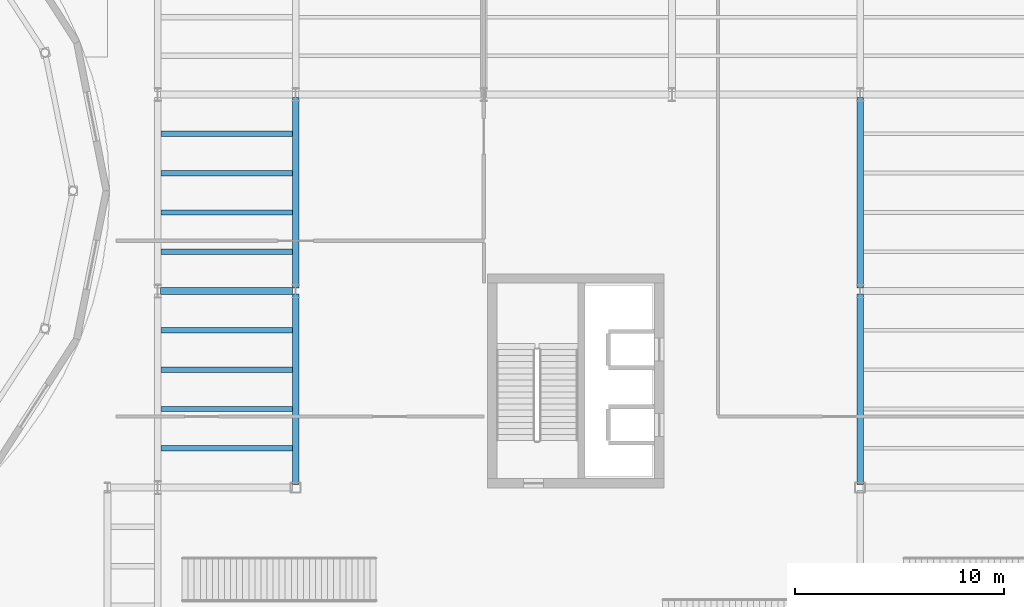
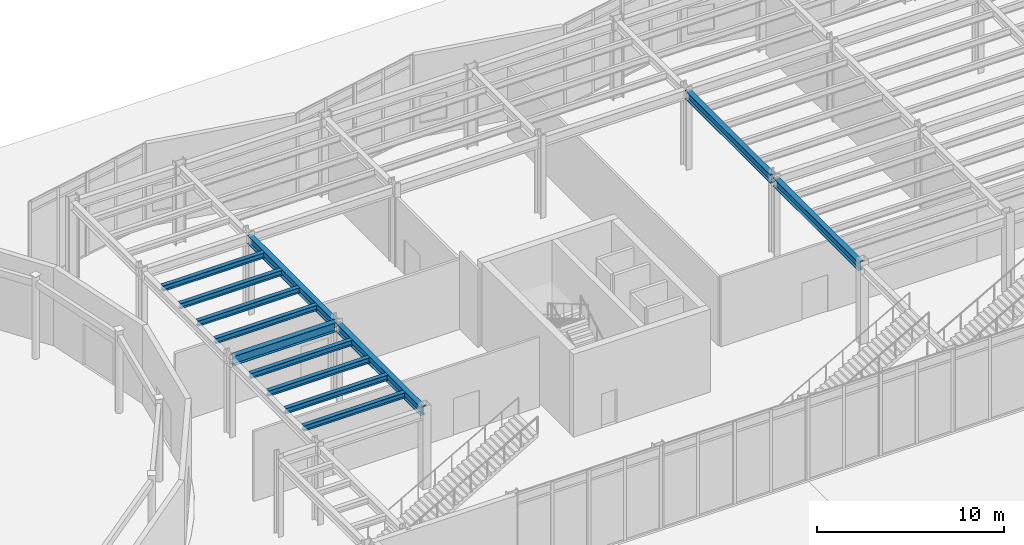
# One storey, part 51 of 94: 13 beams.
"""IFC4 building model written with IfcOpenShell, lengths in metres."""

from ifc_helpers import new_model, si_unit, direction, frame, origin, origin_2d, place, context, subcontext, project, spatial, i_section, extrude, material, material_profile, profile_set, type_object, element, save


model = new_model("IFC4")

# Units and contexts
model_context = context("Model", 3, precision=1e-05, world=origin(), true_north=direction((0.0, 1.0)))
body_context = subcontext(model_context, "Body", "Model", "MODEL_VIEW")
ifc_project = project(units=[si_unit("LENGTHUNIT", "METRE"), si_unit("AREAUNIT", "SQUARE_METRE"), si_unit("VOLUMEUNIT", "CUBIC_METRE"), si_unit("PLANEANGLEUNIT", "RADIAN"), si_unit("MASSUNIT", "GRAM", prefix="KILO")], contexts=[model_context])

# Site, building, storey
site_placement = place(None, origin())
site = spatial("IfcSite", under=ifc_project, at=site_placement, CompositionType="ELEMENT")
building_placement = place(site_placement, origin())
building = spatial("IfcBuilding", under=site, at=building_placement, Name="Sollismere Congress Hotel", CompositionType="ELEMENT")
storey_placement = place(building_placement, origin())
storey = spatial("IfcBuildingStorey", under=building, at=storey_placement, Name="L00", CompositionType="ELEMENT", Elevation=0.0)

# Beams
ifc_material = material(Name="Steel ASTM A992 Grade 50", Category="steel")
ifc_material_profile_1 = material_profile(ifc_material, i_section(OverallWidth=0.31494140625, OverallDepth=0.551025390625, WebThickness=0.01513671875, FlangeThickness=0.0244140625, at=origin_2d()), Name="W21X122")
ifc_profile_set_1 = profile_set([ifc_material_profile_1], Name="Steel ASTM A992 Grade 50")
beam_type_1 = type_object("IfcBeamType", Name="BM-G21H", PredefinedType="BEAM", material=ifc_profile_set_1)
beam_1_placement = place(storey_placement, frame((67.0, 76.340087890625, 4.839599609375), z_axis=(0.0, 1.0, 0.0), x_axis=(-1.0, 0.0, 0.0)))
element("IfcBeam", 1, at=beam_1_placement, inside=storey, type_object=beam_type_1, Name="Beam BM-L00-1258", PredefinedType="BEAM", context=body_context, shape_type="SweptSolid", body=[
    extrude(i_section(OverallWidth=0.31494140625, OverallDepth=0.551025390625, WebThickness=0.01513671875, FlangeThickness=0.0244140625, at=origin_2d()), origin(), (0.0, 0.0, 1.0), 9.119873046875),
])
beam_2_placement = place(storey_placement, frame((67.0, 85.739990234375, 4.839599609375), z_axis=(0.0, 1.0, 0.0), x_axis=(-1.0, 0.0, 0.0)))
element("IfcBeam", 2, at=beam_2_placement, inside=storey, type_object=beam_type_1, Name="Beam BM-L00-1259", PredefinedType="BEAM", context=body_context, shape_type="SweptSolid", body=[
    extrude(i_section(OverallWidth=0.31494140625, OverallDepth=0.551025390625, WebThickness=0.01513671875, FlangeThickness=0.0244140625, at=origin_2d()), origin(), (0.0, 0.0, 1.0), 9.1201171875),
])
beam_3_placement = place(storey_placement, frame((94.0, 76.340087890625, 4.839599609375), z_axis=(0.0, 1.0, 0.0), x_axis=(-1.0, 0.0, 0.0)))
element("IfcBeam", 3, at=beam_3_placement, inside=storey, type_object=beam_type_1, Name="Beam BM-L00-1268", PredefinedType="BEAM", context=body_context, shape_type="SweptSolid", body=[
    extrude(i_section(OverallWidth=0.31494140625, OverallDepth=0.551025390625, WebThickness=0.01513671875, FlangeThickness=0.0244140625, at=origin_2d()), origin(), (0.0, 0.0, 1.0), 9.119873046875),
])
beam_4_placement = place(storey_placement, frame((94.0, 85.739990234375, 4.839599609375), z_axis=(0.0, 1.0, 0.0), x_axis=(-1.0, 0.0, 0.0)))
element("IfcBeam", 4, at=beam_4_placement, inside=storey, type_object=beam_type_1, Name="Beam BM-L00-1269", PredefinedType="BEAM", context=body_context, shape_type="SweptSolid", body=[
    extrude(i_section(OverallWidth=0.31494140625, OverallDepth=0.551025390625, WebThickness=0.01513671875, FlangeThickness=0.0244140625, at=origin_2d()), origin(), (0.0, 0.0, 1.0), 9.1201171875),
])
ifc_material_profile_2 = material_profile(ifc_material, i_section(OverallWidth=0.324951171875, OverallDepth=0.612060546875, WebThickness=0.0126953125, FlangeThickness=0.01904296875, at=origin_2d()), Name="W24X104")
ifc_profile_set_2 = profile_set([ifc_material_profile_2], Name="Steel ASTM A992 Grade 50")
beam_type_2 = type_object("IfcBeamType", Name="BM-G24", PredefinedType="BEAM", material=ifc_profile_set_2)
beam_5_placement = place(storey_placement, frame((60.5400390625, 85.60009765625, 4.80908203125), z_axis=(1.0, 0.0, 0.0), x_axis=(0.0, 1.0, 0.0)))
element("IfcBeam", 5, at=beam_5_placement, inside=storey, type_object=beam_type_2, Name="Beam BM-L00-1205", PredefinedType="BEAM", context=body_context, shape_type="SweptSolid", body=[
    extrude(i_section(OverallWidth=0.324951171875, OverallDepth=0.612060546875, WebThickness=0.0126953125, FlangeThickness=0.01904296875, at=origin_2d()), origin(), (0.0, 0.0, 1.0), 6.320068359375),
])
ifc_material_profile_3 = material_profile(ifc_material, i_section(OverallWidth=0.25390625, OverallDepth=0.35595703125, WebThickness=0.010498046875, FlangeThickness=0.018310546875, at=origin_2d()), Name="W14X68")
ifc_profile_set_3 = profile_set([ifc_material_profile_3], Name="Steel ASTM A992 Grade 50")
beam_type_3 = type_object("IfcBeamType", Name="BM-J14", PredefinedType="JOIST", material=ifc_profile_set_3)
for number, where, z_axis, x_axis, name in (
    (6, (60.5576171875, 78.080078125, 4.93701171875), (1.0, 0.0, 0.0), (0.0, 1.0, 0.0), "Beam BM-L00-1365"),
    (7, (60.5576171875, 79.9599609375, 4.93701171875), (1.0, 0.0, 0.0), (0.0, 1.0, 0.0), "Beam BM-L00-1366"),
    (8, (60.5576171875, 81.840087890625, 4.93701171875), (1.0, 0.0, 0.0), (0.0, 1.0, 0.0), "Beam BM-L00-1367"),
    (9, (60.5576171875, 83.719970703125, 4.93701171875), (1.0, 0.0, 0.0), (0.0, 1.0, 0.0), "Beam BM-L00-1368"),
    (10, (60.5576171875, 87.47998046875, 4.93701171875), (1.0, 0.0, 0.0), (0.0, 1.0, 0.0), "Beam BM-L00-1369"),
    (11, (60.5576171875, 89.360107421875, 4.93701171875), (1.0, 0.0, 0.0), (0.0, 1.0, 0.0), "Beam BM-L00-1370"),
    (12, (60.5576171875, 91.239990234375, 4.93701171875), (1.0, 0.0, 0.0), (0.0, 1.0, 0.0), "Beam BM-L00-1371"),
    (13, (60.5576171875, 93.1201171875, 4.93701171875), (1.0, 0.0, 0.0), (0.0, 1.0, 0.0), "Beam BM-L00-1372"),
):
    element("IfcBeam", number, at=place(storey_placement, frame(where, z_axis=z_axis, x_axis=x_axis)), inside=storey, type_object=beam_type_3, Name=name, PredefinedType="JOIST", context=body_context, shape_type="SweptSolid", body=[
        extrude(i_section(OverallWidth=0.25390625, OverallDepth=0.35595703125, WebThickness=0.010498046875, FlangeThickness=0.018310546875, at=origin_2d()), origin(), (0.0, 0.0, 1.0), 6.284912109375),
    ])

save(model, "model.ifc")
